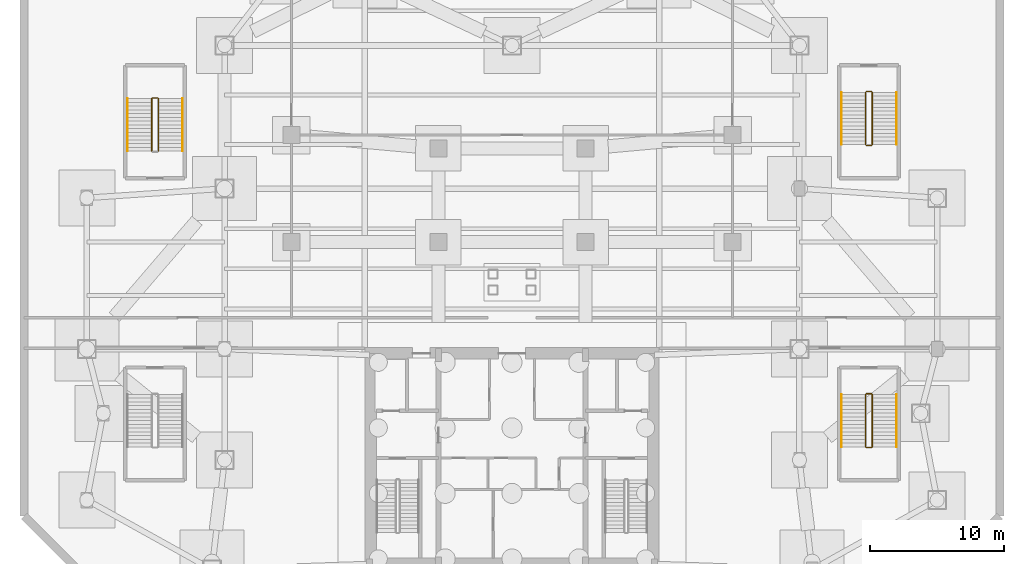
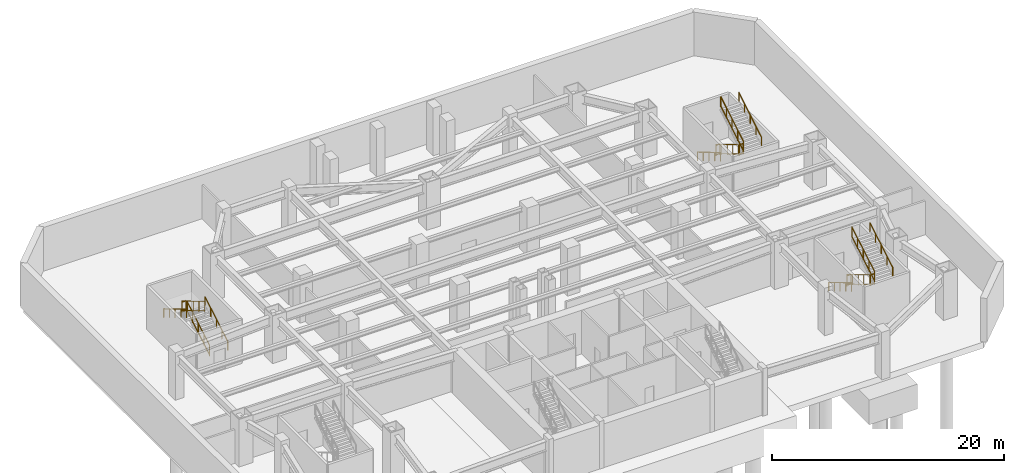
# One storey, part 7 of 7: 17 railings.
"""IFC4 building model written with IfcOpenShell, lengths in metres."""

from ifc_helpers import new_model, si_unit, direction, frame, origin, origin_2d, place, context, subcontext, project, spatial, rectangle, extrude, material, type_object, element, save


model = new_model("IFC4")

# Units and contexts
model_context = context("Model", 3, precision=1e-05, world=origin(), true_north=direction((0.0, 1.0)))
body_context = subcontext(model_context, "Body", "Model", "MODEL_VIEW")
ifc_project = project(units=[si_unit("LENGTHUNIT", "METRE"), si_unit("AREAUNIT", "SQUARE_METRE"), si_unit("VOLUMEUNIT", "CUBIC_METRE"), si_unit("PLANEANGLEUNIT", "RADIAN"), si_unit("MASSUNIT", "GRAM", prefix="KILO")], contexts=[model_context])

# Site, building, storey
site_placement = place(None, origin())
site = spatial("IfcSite", under=ifc_project, at=site_placement, CompositionType="ELEMENT")
building_placement = place(site_placement, origin())
building = spatial("IfcBuilding", under=site, at=building_placement, Name="Varnakhor Terracotta Tower", CompositionType="ELEMENT")
storey_placement = place(building_placement, frame((0.0, 0.0, -10.0)))
storey = spatial("IfcBuildingStorey", under=building, at=storey_placement, Name="B02", CompositionType="ELEMENT", Elevation=-10.0)

# Railings
ifc_material_1 = material(Name="Painted Steel Stairwell Guardrail", Category="steel")
railing_type_1 = type_object("IfcRailingType", Name="RLG-STAIR-GUARD-1120", PredefinedType="GUARDRAIL", material=ifc_material_1)
railing_1_placement = place(storey_placement, frame((26.449951171875, 13.10009765625, 0.166748046875)))
element("IfcRailing", 1, at=railing_1_placement, inside=storey, type_object=railing_type_1, Name="B02 ST-P2 stair guard 1", PredefinedType="GUARDRAIL", context=body_context, shape_type="SweptSolid", body=[
    extrude(rectangle(XDim=0.048095703125, YDim=0.048095703125, at=origin_2d()), frame((0.0, 0.0, 1.09619140625), z_axis=(0.0, -0.859310244771, 0.511454693235), x_axis=(1.0, 0.0, 0.0)), (0.0, 0.0, 1.0), 4.56201171875),
    extrude(rectangle(XDim=0.048095703125, YDim=0.048095703125, at=origin_2d()), frame((0.0, 0.0, 0.10009765625), z_axis=(0.0, -0.859310244771, 0.511454693235), x_axis=(1.0, 0.0, 0.0)), (0.0, 0.0, 1.0), 4.56201171875),
    extrude(rectangle(XDim=0.0419921875, YDim=0.0419921875, at=origin_2d()), origin(), (0.0, 0.0, 1.0), 1.072021484375),
    extrude(rectangle(XDim=0.0419921875, YDim=0.0419921875, at=origin_2d()), frame((0.0, -0.97998046875, 0.583251953125)), (0.0, 0.0, 1.0), 1.072021484375),
    extrude(rectangle(XDim=0.0419921875, YDim=0.0419921875, at=origin_2d()), frame((0.0, -1.9599609375, 1.16650390625)), (0.0, 0.0, 1.0), 1.072021484375),
    extrude(rectangle(XDim=0.0419921875, YDim=0.0419921875, at=origin_2d()), frame((0.0, -2.940185546875, 1.75)), (0.0, 0.0, 1.0), 1.072021484375),
    extrude(rectangle(XDim=0.0419921875, YDim=0.0419921875, at=origin_2d()), frame((0.0, -3.920166015625, 2.333251953125)), (0.0, 0.0, 1.0), 1.072021484375),
])
railing_2_placement = place(storey_placement, frame((26.5, 9.1298828125, 2.5)))
element("IfcRailing", 2, at=railing_2_placement, inside=storey, type_object=railing_type_1, Name="B02 ST-P2 stair guard 2", PredefinedType="GUARDRAIL", context=body_context, shape_type="SweptSolid", body=[
    extrude(rectangle(XDim=0.048095703125, YDim=0.048095703125, at=origin_2d()), frame((0.0, 0.0, 1.09619140625), z_axis=(1.0, 0.0, 0.0), x_axis=(0.0, 1.0, 0.0)), (0.0, 0.0, 1.0), 0.39990234375),
    extrude(rectangle(XDim=0.048095703125, YDim=0.048095703125, at=origin_2d()), frame((0.0, 0.0, 0.10009765625), z_axis=(1.0, 0.0, 0.0), x_axis=(0.0, 1.0, 0.0)), (0.0, 0.0, 1.0), 0.39990234375),
    extrude(rectangle(XDim=0.0419921875, YDim=0.0419921875, at=origin_2d()), origin(), (0.0, 0.0, 1.0), 1.072021484375),
    extrude(rectangle(XDim=0.0419921875, YDim=0.0419921875, at=origin_2d()), frame((0.39990234375, 0.0, 0.0)), (0.0, 0.0, 1.0), 1.072021484375),
])
railing_3_placement = place(storey_placement, frame((26.949951171875, 9.179931640625, 2.666748046875)))
element("IfcRailing", 3, at=railing_3_placement, inside=storey, type_object=railing_type_1, Name="B02 ST-P2 stair guard 3", PredefinedType="GUARDRAIL", context=body_context, shape_type="SweptSolid", body=[
    extrude(rectangle(XDim=0.048095703125, YDim=0.048095703125, at=origin_2d()), frame((0.0, 0.0, 1.09619140625), z_axis=(0.0, 0.859310244771, 0.511454693235), x_axis=(-1.0, 0.0, 0.0)), (0.0, 0.0, 1.0), 4.56201171875),
    extrude(rectangle(XDim=0.048095703125, YDim=0.048095703125, at=origin_2d()), frame((0.0, 0.0, 0.10009765625), z_axis=(0.0, 0.859310244771, 0.511454693235), x_axis=(-1.0, 0.0, 0.0)), (0.0, 0.0, 1.0), 4.56201171875),
    extrude(rectangle(XDim=0.0419921875, YDim=0.0419921875, at=origin_2d()), origin(), (0.0, 0.0, 1.0), 1.072021484375),
    extrude(rectangle(XDim=0.0419921875, YDim=0.0419921875, at=origin_2d()), frame((0.0, 0.97998046875, 0.583251953125)), (0.0, 0.0, 1.0), 1.072021484375),
    extrude(rectangle(XDim=0.0419921875, YDim=0.0419921875, at=origin_2d()), frame((0.0, 1.9599609375, 1.16650390625)), (0.0, 0.0, 1.0), 1.072021484375),
    extrude(rectangle(XDim=0.0419921875, YDim=0.0419921875, at=origin_2d()), frame((0.0, 2.940185546875, 1.75)), (0.0, 0.0, 1.0), 1.072021484375),
    extrude(rectangle(XDim=0.0419921875, YDim=0.0419921875, at=origin_2d()), frame((0.0, 3.920166015625, 2.333251953125)), (0.0, 0.0, 1.0), 1.072021484375),
])
railing_4_placement = place(storey_placement, frame((26.5, 13.14990234375, 0.0)))
element("IfcRailing", 4, at=railing_4_placement, inside=storey, type_object=railing_type_1, Name="B02 ST-P2 stair guard 4", PredefinedType="GUARDRAIL", context=body_context, shape_type="SweptSolid", body=[
    extrude(rectangle(XDim=0.048095703125, YDim=0.048095703125, at=origin_2d()), frame((0.0, 0.0, 1.09619140625), z_axis=(1.0, 0.0, 0.0), x_axis=(0.0, 1.0, 0.0)), (0.0, 0.0, 1.0), 0.39990234375),
    extrude(rectangle(XDim=0.048095703125, YDim=0.048095703125, at=origin_2d()), frame((0.0, 0.0, 0.10009765625), z_axis=(1.0, 0.0, 0.0), x_axis=(0.0, 1.0, 0.0)), (0.0, 0.0, 1.0), 0.39990234375),
    extrude(rectangle(XDim=0.0419921875, YDim=0.0419921875, at=origin_2d()), origin(), (0.0, 0.0, 1.0), 1.072021484375),
    extrude(rectangle(XDim=0.0419921875, YDim=0.0419921875, at=origin_2d()), frame((0.39990234375, 0.0, 0.0)), (0.0, 0.0, 1.0), 1.072021484375),
])
railing_5_placement = place(storey_placement, frame((-26.449951171875, 31.300048828125, 0.166748046875)))
element("IfcRailing", 5, at=railing_5_placement, inside=storey, type_object=railing_type_1, Name="B02 ST-P3 stair guard 1", PredefinedType="GUARDRAIL", context=body_context, shape_type="SweptSolid", body=[
    extrude(rectangle(XDim=0.048095703125, YDim=0.048095703125, at=origin_2d()), frame((0.0, 0.0, 1.09619140625), z_axis=(0.0, 0.859296244711, 0.511478214419), x_axis=(-1.0, 0.0, 0.0)), (0.0, 0.0, 1.0), 4.561767578125),
    extrude(rectangle(XDim=0.048095703125, YDim=0.048095703125, at=origin_2d()), frame((0.0, 0.0, 0.10009765625), z_axis=(0.0, 0.859296244711, 0.511478214419), x_axis=(-1.0, 0.0, 0.0)), (0.0, 0.0, 1.0), 4.561767578125),
    extrude(rectangle(XDim=0.0419921875, YDim=0.0419921875, at=origin_2d()), origin(), (0.0, 0.0, 1.0), 1.072021484375),
    extrude(rectangle(XDim=0.0419921875, YDim=0.0419921875, at=origin_2d()), frame((0.0, 0.97998046875, 0.583251953125)), (0.0, 0.0, 1.0), 1.072021484375),
    extrude(rectangle(XDim=0.0419921875, YDim=0.0419921875, at=origin_2d()), frame((0.0, 1.9599609375, 1.16650390625)), (0.0, 0.0, 1.0), 1.072021484375),
    extrude(rectangle(XDim=0.0419921875, YDim=0.0419921875, at=origin_2d()), frame((0.0, 2.93994140625, 1.75)), (0.0, 0.0, 1.0), 1.072021484375),
    extrude(rectangle(XDim=0.0419921875, YDim=0.0419921875, at=origin_2d()), frame((0.0, 3.919921875, 2.333251953125)), (0.0, 0.0, 1.0), 1.072021484375),
])
railing_6_placement = place(storey_placement, frame((-26.5, 35.27001953125, 2.5)))
element("IfcRailing", 6, at=railing_6_placement, inside=storey, type_object=railing_type_1, Name="B02 ST-P3 stair guard 2", PredefinedType="GUARDRAIL", context=body_context, shape_type="SweptSolid", body=[
    extrude(rectangle(XDim=0.048095703125, YDim=0.048095703125, at=origin_2d()), frame((0.0, 0.0, 1.09619140625), z_axis=(-1.0, 0.0, 0.0), x_axis=(0.0, -1.0, 0.0)), (0.0, 0.0, 1.0), 0.39990234375),
    extrude(rectangle(XDim=0.048095703125, YDim=0.048095703125, at=origin_2d()), frame((0.0, 0.0, 0.10009765625), z_axis=(-1.0, 0.0, 0.0), x_axis=(0.0, -1.0, 0.0)), (0.0, 0.0, 1.0), 0.39990234375),
    extrude(rectangle(XDim=0.0419921875, YDim=0.0419921875, at=origin_2d()), origin(), (0.0, 0.0, 1.0), 1.072021484375),
    extrude(rectangle(XDim=0.0419921875, YDim=0.0419921875, at=origin_2d()), frame((-0.39990234375, 0.0, 0.0)), (0.0, 0.0, 1.0), 1.072021484375),
])
for number, where, name in (
    (7, (-26.949951171875, 35.219970703125, 2.666748046875), "B02 ST-P3 stair guard 3"),
    (8, (26.449951171875, 35.699951171875, 0.166748046875), "B02 ST-P4 stair guard 1"),
):
    element("IfcRailing", number, at=place(storey_placement, frame(where)), inside=storey, type_object=railing_type_1, Name=name, PredefinedType="GUARDRAIL", context=body_context, shape_type="SweptSolid", body=[
        extrude(rectangle(XDim=0.048095703125, YDim=0.048095703125, at=origin_2d()), frame((0.0, 0.0, 1.09619140625), z_axis=(0.0, -0.859296244711, 0.511478214419), x_axis=(1.0, 0.0, 0.0)), (0.0, 0.0, 1.0), 4.561767578125),
        extrude(rectangle(XDim=0.048095703125, YDim=0.048095703125, at=origin_2d()), frame((0.0, 0.0, 0.10009765625), z_axis=(0.0, -0.859296244711, 0.511478214419), x_axis=(1.0, 0.0, 0.0)), (0.0, 0.0, 1.0), 4.561767578125),
        extrude(rectangle(XDim=0.0419921875, YDim=0.0419921875, at=origin_2d()), origin(), (0.0, 0.0, 1.0), 1.072021484375),
        extrude(rectangle(XDim=0.0419921875, YDim=0.0419921875, at=origin_2d()), frame((0.0, -0.97998046875, 0.583251953125)), (0.0, 0.0, 1.0), 1.072021484375),
        extrude(rectangle(XDim=0.0419921875, YDim=0.0419921875, at=origin_2d()), frame((0.0, -1.9599609375, 1.16650390625)), (0.0, 0.0, 1.0), 1.072021484375),
        extrude(rectangle(XDim=0.0419921875, YDim=0.0419921875, at=origin_2d()), frame((0.0, -2.93994140625, 1.75)), (0.0, 0.0, 1.0), 1.072021484375),
        extrude(rectangle(XDim=0.0419921875, YDim=0.0419921875, at=origin_2d()), frame((0.0, -3.919921875, 2.333251953125)), (0.0, 0.0, 1.0), 1.072021484375),
    ])
railing_7_placement = place(storey_placement, frame((26.5, 31.72998046875, 2.5)))
element("IfcRailing", 9, at=railing_7_placement, inside=storey, type_object=railing_type_1, Name="B02 ST-P4 stair guard 2", PredefinedType="GUARDRAIL", context=body_context, shape_type="SweptSolid", body=[
    extrude(rectangle(XDim=0.048095703125, YDim=0.048095703125, at=origin_2d()), frame((0.0, 0.0, 1.09619140625), z_axis=(1.0, 0.0, 0.0), x_axis=(0.0, 1.0, 0.0)), (0.0, 0.0, 1.0), 0.39990234375),
    extrude(rectangle(XDim=0.048095703125, YDim=0.048095703125, at=origin_2d()), frame((0.0, 0.0, 0.10009765625), z_axis=(1.0, 0.0, 0.0), x_axis=(0.0, 1.0, 0.0)), (0.0, 0.0, 1.0), 0.39990234375),
    extrude(rectangle(XDim=0.0419921875, YDim=0.0419921875, at=origin_2d()), origin(), (0.0, 0.0, 1.0), 1.072021484375),
    extrude(rectangle(XDim=0.0419921875, YDim=0.0419921875, at=origin_2d()), frame((0.39990234375, 0.0, 0.0)), (0.0, 0.0, 1.0), 1.072021484375),
])
railing_8_placement = place(storey_placement, frame((26.949951171875, 31.780029296875, 2.666748046875)))
element("IfcRailing", 10, at=railing_8_placement, inside=storey, type_object=railing_type_1, Name="B02 ST-P4 stair guard 3", PredefinedType="GUARDRAIL", context=body_context, shape_type="SweptSolid", body=[
    extrude(rectangle(XDim=0.048095703125, YDim=0.048095703125, at=origin_2d()), frame((0.0, 0.0, 1.09619140625), z_axis=(0.0, 0.859296244711, 0.511478214419), x_axis=(-1.0, 0.0, 0.0)), (0.0, 0.0, 1.0), 4.561767578125),
    extrude(rectangle(XDim=0.048095703125, YDim=0.048095703125, at=origin_2d()), frame((0.0, 0.0, 0.10009765625), z_axis=(0.0, 0.859296244711, 0.511478214419), x_axis=(-1.0, 0.0, 0.0)), (0.0, 0.0, 1.0), 4.561767578125),
    extrude(rectangle(XDim=0.0419921875, YDim=0.0419921875, at=origin_2d()), origin(), (0.0, 0.0, 1.0), 1.072021484375),
    extrude(rectangle(XDim=0.0419921875, YDim=0.0419921875, at=origin_2d()), frame((0.0, 0.97998046875, 0.583251953125)), (0.0, 0.0, 1.0), 1.072021484375),
    extrude(rectangle(XDim=0.0419921875, YDim=0.0419921875, at=origin_2d()), frame((0.0, 1.9599609375, 1.16650390625)), (0.0, 0.0, 1.0), 1.072021484375),
    extrude(rectangle(XDim=0.0419921875, YDim=0.0419921875, at=origin_2d()), frame((0.0, 2.93994140625, 1.75)), (0.0, 0.0, 1.0), 1.072021484375),
    extrude(rectangle(XDim=0.0419921875, YDim=0.0419921875, at=origin_2d()), frame((0.0, 3.919921875, 2.333251953125)), (0.0, 0.0, 1.0), 1.072021484375),
])
railing_9_placement = place(storey_placement, frame((26.5, 35.75, 0.0)))
element("IfcRailing", 11, at=railing_9_placement, inside=storey, type_object=railing_type_1, Name="B02 ST-P4 stair guard 4", PredefinedType="GUARDRAIL", context=body_context, shape_type="SweptSolid", body=[
    extrude(rectangle(XDim=0.048095703125, YDim=0.048095703125, at=origin_2d()), frame((0.0, 0.0, 1.09619140625), z_axis=(1.0, 0.0, 0.0), x_axis=(0.0, 1.0, 0.0)), (0.0, 0.0, 1.0), 0.39990234375),
    extrude(rectangle(XDim=0.048095703125, YDim=0.048095703125, at=origin_2d()), frame((0.0, 0.0, 0.10009765625), z_axis=(1.0, 0.0, 0.0), x_axis=(0.0, 1.0, 0.0)), (0.0, 0.0, 1.0), 0.39990234375),
    extrude(rectangle(XDim=0.0419921875, YDim=0.0419921875, at=origin_2d()), origin(), (0.0, 0.0, 1.0), 1.072021484375),
    extrude(rectangle(XDim=0.0419921875, YDim=0.0419921875, at=origin_2d()), frame((0.39990234375, 0.0, 0.0)), (0.0, 0.0, 1.0), 1.072021484375),
])
ifc_material_2 = material(Name="Brushed Stainless Steel Handrail", Category="steel")
railing_type_2 = type_object("IfcRailingType", Name="RLG-STAIR-HANDRAIL-920", PredefinedType="HANDRAIL", material=ifc_material_2)
railing_10_placement = place(storey_placement, frame((24.64990234375, 13.10009765625, 0.166748046875)))
element("IfcRailing", 12, at=railing_10_placement, inside=storey, type_object=railing_type_2, Name="B02 ST-P2 stair handrail 1", PredefinedType="HANDRAIL", context=body_context, shape_type="SweptSolid", body=[
    extrude(rectangle(XDim=0.048095703125, YDim=0.048095703125, at=origin_2d()), frame((0.0, 0.0, 0.89599609375), z_axis=(0.0, -0.859310244771, 0.511454693235), x_axis=(1.0, 0.0, 0.0)), (0.0, 0.0, 1.0), 4.56201171875),
    extrude(rectangle(XDim=0.0419921875, YDim=0.0419921875, at=origin_2d()), origin(), (0.0, 0.0, 1.0), 0.871826171875),
    extrude(rectangle(XDim=0.0419921875, YDim=0.0419921875, at=origin_2d()), frame((0.0, -0.97998046875, 0.583251953125)), (0.0, 0.0, 1.0), 0.871826171875),
    extrude(rectangle(XDim=0.0419921875, YDim=0.0419921875, at=origin_2d()), frame((0.0, -1.9599609375, 1.16650390625)), (0.0, 0.0, 1.0), 0.871826171875),
    extrude(rectangle(XDim=0.0419921875, YDim=0.0419921875, at=origin_2d()), frame((0.0, -2.940185546875, 1.75)), (0.0, 0.0, 1.0), 0.871826171875),
    extrude(rectangle(XDim=0.0419921875, YDim=0.0419921875, at=origin_2d()), frame((0.0, -3.920166015625, 2.333251953125)), (0.0, 0.0, 1.0), 0.871826171875),
])
railing_11_placement = place(storey_placement, frame((28.75, 9.179931640625, 2.666748046875)))
element("IfcRailing", 13, at=railing_11_placement, inside=storey, type_object=railing_type_2, Name="B02 ST-P2 stair handrail 2", PredefinedType="HANDRAIL", context=body_context, shape_type="SweptSolid", body=[
    extrude(rectangle(XDim=0.048095703125, YDim=0.048095703125, at=origin_2d()), frame((0.0, 0.0, 0.89599609375), z_axis=(0.0, 0.859310244771, 0.511454693235), x_axis=(-1.0, 0.0, 0.0)), (0.0, 0.0, 1.0), 4.56201171875),
    extrude(rectangle(XDim=0.0419921875, YDim=0.0419921875, at=origin_2d()), origin(), (0.0, 0.0, 1.0), 0.871826171875),
    extrude(rectangle(XDim=0.0419921875, YDim=0.0419921875, at=origin_2d()), frame((0.0, 0.97998046875, 0.583251953125)), (0.0, 0.0, 1.0), 0.871826171875),
    extrude(rectangle(XDim=0.0419921875, YDim=0.0419921875, at=origin_2d()), frame((0.0, 1.9599609375, 1.16650390625)), (0.0, 0.0, 1.0), 0.871826171875),
    extrude(rectangle(XDim=0.0419921875, YDim=0.0419921875, at=origin_2d()), frame((0.0, 2.940185546875, 1.75)), (0.0, 0.0, 1.0), 0.871826171875),
    extrude(rectangle(XDim=0.0419921875, YDim=0.0419921875, at=origin_2d()), frame((0.0, 3.920166015625, 2.333251953125)), (0.0, 0.0, 1.0), 0.871826171875),
])
railing_12_placement = place(storey_placement, frame((-24.64990234375, 31.300048828125, 0.166748046875)))
element("IfcRailing", 14, at=railing_12_placement, inside=storey, type_object=railing_type_2, Name="B02 ST-P3 stair handrail 1", PredefinedType="HANDRAIL", context=body_context, shape_type="SweptSolid", body=[
    extrude(rectangle(XDim=0.048095703125, YDim=0.048095703125, at=origin_2d()), frame((0.0, 0.0, 0.89599609375), z_axis=(0.0, 0.859296244711, 0.511478214419), x_axis=(-1.0, 0.0, 0.0)), (0.0, 0.0, 1.0), 4.561767578125),
    extrude(rectangle(XDim=0.0419921875, YDim=0.0419921875, at=origin_2d()), origin(), (0.0, 0.0, 1.0), 0.871826171875),
    extrude(rectangle(XDim=0.0419921875, YDim=0.0419921875, at=origin_2d()), frame((0.0, 0.97998046875, 0.583251953125)), (0.0, 0.0, 1.0), 0.871826171875),
    extrude(rectangle(XDim=0.0419921875, YDim=0.0419921875, at=origin_2d()), frame((0.0, 1.9599609375, 1.16650390625)), (0.0, 0.0, 1.0), 0.871826171875),
    extrude(rectangle(XDim=0.0419921875, YDim=0.0419921875, at=origin_2d()), frame((0.0, 2.93994140625, 1.75)), (0.0, 0.0, 1.0), 0.871826171875),
    extrude(rectangle(XDim=0.0419921875, YDim=0.0419921875, at=origin_2d()), frame((0.0, 3.919921875, 2.333251953125)), (0.0, 0.0, 1.0), 0.871826171875),
])
for number, where, name in (
    (15, (-28.75, 35.219970703125, 2.666748046875), "B02 ST-P3 stair handrail 2"),
    (16, (24.64990234375, 35.699951171875, 0.166748046875), "B02 ST-P4 stair handrail 1"),
):
    element("IfcRailing", number, at=place(storey_placement, frame(where)), inside=storey, type_object=railing_type_2, Name=name, PredefinedType="HANDRAIL", context=body_context, shape_type="SweptSolid", body=[
        extrude(rectangle(XDim=0.048095703125, YDim=0.048095703125, at=origin_2d()), frame((0.0, 0.0, 0.89599609375), z_axis=(0.0, -0.859296244711, 0.511478214419), x_axis=(1.0, 0.0, 0.0)), (0.0, 0.0, 1.0), 4.561767578125),
        extrude(rectangle(XDim=0.0419921875, YDim=0.0419921875, at=origin_2d()), origin(), (0.0, 0.0, 1.0), 0.871826171875),
        extrude(rectangle(XDim=0.0419921875, YDim=0.0419921875, at=origin_2d()), frame((0.0, -0.97998046875, 0.583251953125)), (0.0, 0.0, 1.0), 0.871826171875),
        extrude(rectangle(XDim=0.0419921875, YDim=0.0419921875, at=origin_2d()), frame((0.0, -1.9599609375, 1.16650390625)), (0.0, 0.0, 1.0), 0.871826171875),
        extrude(rectangle(XDim=0.0419921875, YDim=0.0419921875, at=origin_2d()), frame((0.0, -2.93994140625, 1.75)), (0.0, 0.0, 1.0), 0.871826171875),
        extrude(rectangle(XDim=0.0419921875, YDim=0.0419921875, at=origin_2d()), frame((0.0, -3.919921875, 2.333251953125)), (0.0, 0.0, 1.0), 0.871826171875),
    ])
railing_13_placement = place(storey_placement, frame((28.75, 31.780029296875, 2.666748046875)))
element("IfcRailing", 17, at=railing_13_placement, inside=storey, type_object=railing_type_2, Name="B02 ST-P4 stair handrail 2", PredefinedType="HANDRAIL", context=body_context, shape_type="SweptSolid", body=[
    extrude(rectangle(XDim=0.048095703125, YDim=0.048095703125, at=origin_2d()), frame((0.0, 0.0, 0.89599609375), z_axis=(0.0, 0.859296244711, 0.511478214419), x_axis=(-1.0, 0.0, 0.0)), (0.0, 0.0, 1.0), 4.561767578125),
    extrude(rectangle(XDim=0.0419921875, YDim=0.0419921875, at=origin_2d()), origin(), (0.0, 0.0, 1.0), 0.871826171875),
    extrude(rectangle(XDim=0.0419921875, YDim=0.0419921875, at=origin_2d()), frame((0.0, 0.97998046875, 0.583251953125)), (0.0, 0.0, 1.0), 0.871826171875),
    extrude(rectangle(XDim=0.0419921875, YDim=0.0419921875, at=origin_2d()), frame((0.0, 1.9599609375, 1.16650390625)), (0.0, 0.0, 1.0), 0.871826171875),
    extrude(rectangle(XDim=0.0419921875, YDim=0.0419921875, at=origin_2d()), frame((0.0, 2.93994140625, 1.75)), (0.0, 0.0, 1.0), 0.871826171875),
    extrude(rectangle(XDim=0.0419921875, YDim=0.0419921875, at=origin_2d()), frame((0.0, 3.919921875, 2.333251953125)), (0.0, 0.0, 1.0), 0.871826171875),
])

save(model, "model.ifc")
